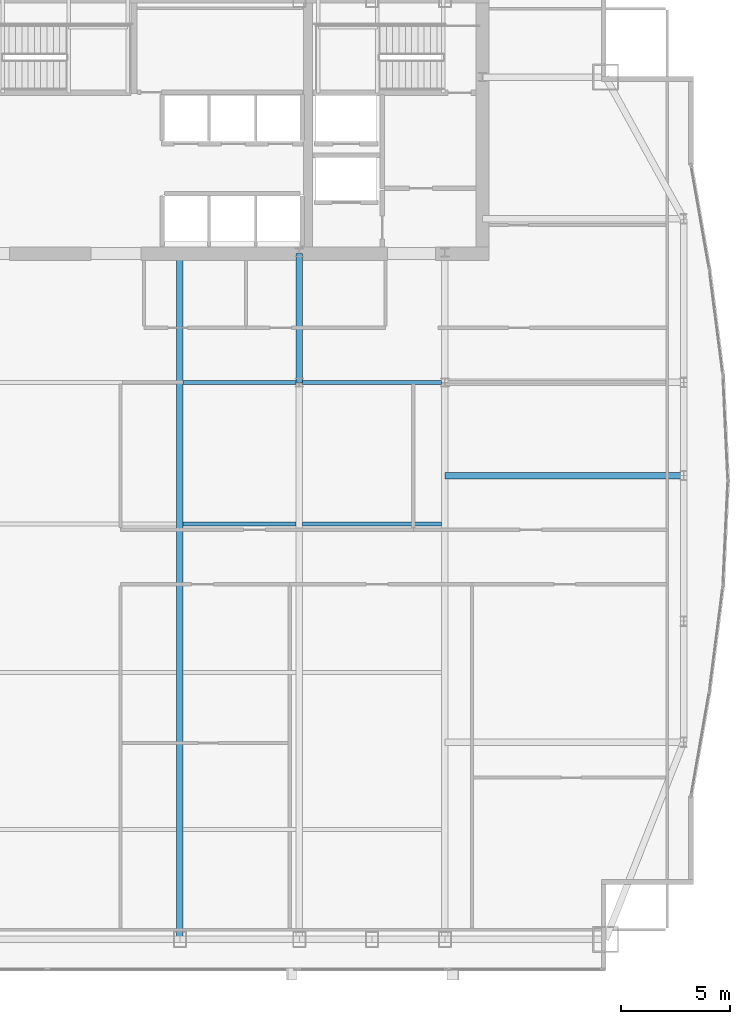
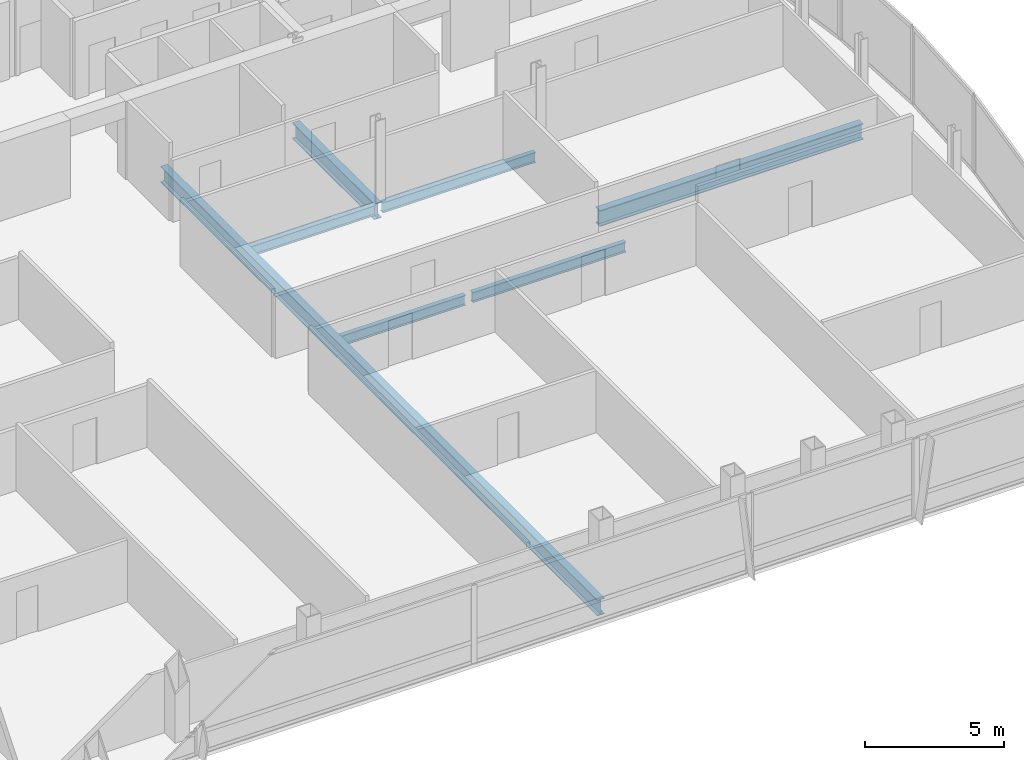
# One storey, part 17 of 30: 7 beams.
"""IFC4 building model written with IfcOpenShell, lengths in metres."""

from ifc_helpers import new_model, si_unit, direction, frame, origin, origin_2d, place, context, subcontext, project, spatial, i_section, extrude, material, material_profile, profile_set, type_object, element, save


model = new_model("IFC4")

# Units and contexts
model_context = context("Model", 3, precision=1e-05, world=origin(), true_north=direction((0.0, 1.0)))
body_context = subcontext(model_context, "Body", "Model", "MODEL_VIEW")
ifc_project = project(units=[si_unit("LENGTHUNIT", "METRE"), si_unit("AREAUNIT", "SQUARE_METRE"), si_unit("VOLUMEUNIT", "CUBIC_METRE"), si_unit("PLANEANGLEUNIT", "RADIAN"), si_unit("MASSUNIT", "GRAM", prefix="KILO")], contexts=[model_context])

# Site, building, storey
site_placement = place(None, origin())
site = spatial("IfcSite", under=ifc_project, at=site_placement, CompositionType="ELEMENT")
building_placement = place(site_placement, origin())
building = spatial("IfcBuilding", under=site, at=building_placement, Name="Khoronbel Lancet Exchange", CompositionType="ELEMENT")
storey_placement = place(building_placement, frame((0.0, 0.0, 203.0)))
storey = spatial("IfcBuildingStorey", under=building, at=storey_placement, Name="L51", CompositionType="ELEMENT", Elevation=203.0)

# Beams
ifc_material = material(Name="Steel S355", Category="steel")
ifc_material_profile_1 = material_profile(ifc_material, i_section(OverallWidth=0.300048828125, OverallDepth=0.699951171875, WebThickness=0.01708984375, FlangeThickness=0.031982421875, at=origin_2d()), Name="HEB 700")
ifc_profile_set_1 = profile_set([ifc_material_profile_1], Name="Steel S355")
beam_type_1 = type_object("IfcBeamType", Name="BM-BG3", PredefinedType="BEAM", material=ifc_profile_set_1)
beam_1_placement = place(storey_placement, frame((42.52490234375, 10.14990234375, -0.510009765625), z_axis=(0.0, 1.0, 0.0), x_axis=(-1.0, 0.0, 0.0)))
element("IfcBeam", 1, at=beam_1_placement, inside=storey, type_object=beam_type_1, Name="Level L51 primary floor girder G4", PredefinedType="BEAM", context=body_context, shape_type="SweptSolid", body=[
    extrude(i_section(OverallWidth=0.300048828125, OverallDepth=0.699951171875, WebThickness=0.01708984375, FlangeThickness=0.031982421875, at=origin_2d()), origin(), (0.0, 0.0, 1.0), 31.4501953125),
])
beam_2_placement = place(storey_placement, frame((48.0, 35.699951171875, -0.510009765625), z_axis=(0.0, 1.0, 0.0), x_axis=(-1.0, 0.0, 0.0)))
element("IfcBeam", 2, at=beam_2_placement, inside=storey, type_object=beam_type_1, Name="Level L51 spine tie girder GN5", PredefinedType="BEAM", context=body_context, shape_type="SweptSolid", body=[
    extrude(i_section(OverallWidth=0.300048828125, OverallDepth=0.699951171875, WebThickness=0.01708984375, FlangeThickness=0.031982421875, at=origin_2d()), origin(), (0.0, 0.0, 1.0), 5.900146484375),
])
beam_3_placement = place(storey_placement, frame((54.675048828125, 31.425048828125, -0.510009765625), z_axis=(1.0, 0.0, 0.0), x_axis=(0.0, 1.0, 0.0)))
element("IfcBeam", 3, at=beam_3_placement, inside=storey, type_object=beam_type_1, Name="Level L51 east lens tie girder LG2E", PredefinedType="BEAM", context=body_context, shape_type="SweptSolid", body=[
    extrude(i_section(OverallWidth=0.300048828125, OverallDepth=0.699951171875, WebThickness=0.01708984375, FlangeThickness=0.031982421875, at=origin_2d()), origin(), (0.0, 0.0, 1.0), 10.954833984375),
])
ifc_material_profile_2 = material_profile(ifc_material, i_section(OverallWidth=0.18994140625, OverallDepth=0.449951171875, WebThickness=0.009521484375, FlangeThickness=0.0146484375, at=origin_2d()), Name="IPE 450")
ifc_profile_set_2 = profile_set([ifc_material_profile_2], Name="Steel S355")
beam_type_2 = type_object("IfcBeamType", Name="BM-BJ4", PredefinedType="JOIST", material=ifc_profile_set_2)
beam_4_placement = place(storey_placement, frame((42.675048828125, 29.199951171875, -0.385009765625), z_axis=(1.0, 0.0, 0.0), x_axis=(0.0, 1.0, 0.0)))
element("IfcBeam", 4, at=beam_4_placement, inside=storey, type_object=beam_type_2, Name="Level L51 secondary composite joist J14", PredefinedType="JOIST", context=body_context, shape_type="SweptSolid", body=[
    extrude(i_section(OverallWidth=0.18994140625, OverallDepth=0.449951171875, WebThickness=0.009521484375, FlangeThickness=0.0146484375, at=origin_2d()), origin(), (0.0, 0.0, 1.0), 5.175048828125),
])
beam_5_placement = place(storey_placement, frame((48.14990234375, 29.199951171875, -0.385009765625), z_axis=(1.0, 0.0, 0.0), x_axis=(0.0, 1.0, 0.0)))
element("IfcBeam", 5, at=beam_5_placement, inside=storey, type_object=beam_type_2, Name="Level L51 secondary composite joist J15", PredefinedType="JOIST", context=body_context, shape_type="SweptSolid", body=[
    extrude(i_section(OverallWidth=0.18994140625, OverallDepth=0.449951171875, WebThickness=0.009521484375, FlangeThickness=0.0146484375, at=origin_2d()), origin(), (0.0, 0.0, 1.0), 6.375),
])
beam_6_placement = place(storey_placement, frame((42.675048828125, 35.699951171875, -0.385009765625), z_axis=(1.0, 0.0, 0.0), x_axis=(0.0, 1.0, 0.0)))
element("IfcBeam", 6, at=beam_6_placement, inside=storey, type_object=beam_type_2, Name="Level L51 secondary composite joist J19", PredefinedType="JOIST", context=body_context, shape_type="SweptSolid", body=[
    extrude(i_section(OverallWidth=0.18994140625, OverallDepth=0.449951171875, WebThickness=0.009521484375, FlangeThickness=0.0146484375, at=origin_2d()), origin(), (0.0, 0.0, 1.0), 5.175048828125),
])
beam_7_placement = place(storey_placement, frame((48.14990234375, 35.699951171875, -0.385009765625), z_axis=(1.0, 0.0, 0.0), x_axis=(0.0, 1.0, 0.0)))
element("IfcBeam", 7, at=beam_7_placement, inside=storey, type_object=beam_type_2, Name="Level L51 secondary composite joist J20", PredefinedType="JOIST", context=body_context, shape_type="SweptSolid", body=[
    extrude(i_section(OverallWidth=0.18994140625, OverallDepth=0.449951171875, WebThickness=0.009521484375, FlangeThickness=0.0146484375, at=origin_2d()), origin(), (0.0, 0.0, 1.0), 6.375),
])

save(model, "model.ifc")
